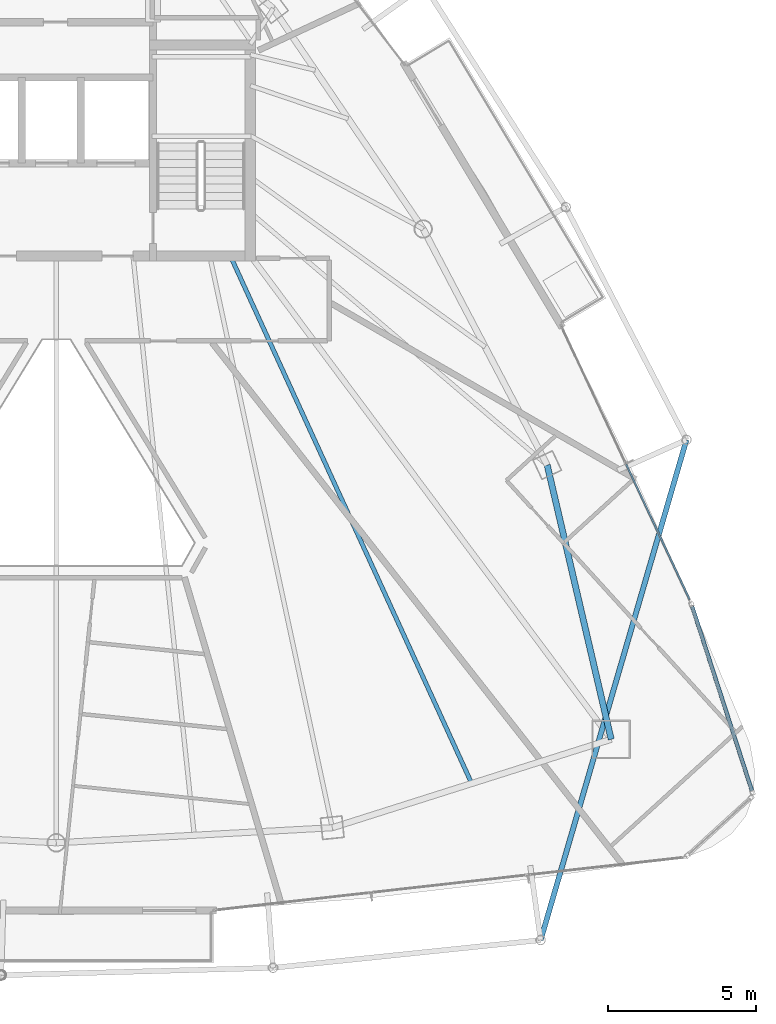
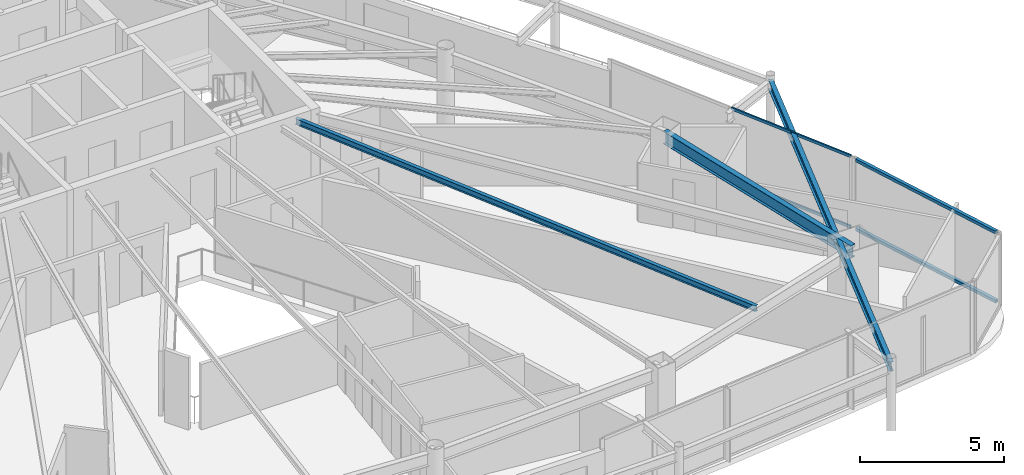
# One storey, part 17 of 33: 4 members, 3 beams, 2 elements without a shape of their own.
"""IFC4 building model written with IfcOpenShell, lengths in metres."""

import ifcopenshell
import ifcopenshell.guid

model = None  # the IFC model being written
_history = None  # IfcOwnerHistory: only IFC2X3 demands one
_inside = {}  # id of a spatial element -> (the spatial element, [elements in it])
_under = {}  # id of a project, library or spatial element -> (it, [spatial elements below it])
_declared = {}  # id of a project -> (the project, [libraries it declares])
_typed = {}  # id of a type object -> (the type object, [elements of that type])
_made_of = {}  # id of a material, layer set ... -> (it, [elements and type objects made of it])


def new_model(schema):
    """Start an empty IFC model of exactly this schema.

    Asked for "IFC4X3", IfcOpenShell would pick the latest addendum, in which some entities
    have other attributes; the version numbers below select the first issue.
    IFC2X3 requires an IfcOwnerHistory on every rooted entity: one is made here for all.
    """
    global model, _history
    if schema == "IFC4X3":
        model = ifcopenshell.file(schema_version=(4, 3, 0, 0))
    else:
        model = ifcopenshell.file(schema=schema)
    _inside.clear()
    _under.clear()
    _declared.clear()
    _typed.clear()
    _made_of.clear()
    _history = None
    if model.schema == "IFC2X3":
        org = make("IfcOrganization", Name="unknown")
        user = make(
            "IfcPersonAndOrganization",
            ThePerson=make("IfcPerson", FamilyName="unknown"),
            TheOrganization=org,
        )
        app = make(
            "IfcApplication",
            ApplicationDeveloper=org,
            Version="unknown",
            ApplicationFullName="unknown",
            ApplicationIdentifier="unknown",
        )
        _history = make(
            "IfcOwnerHistory",
            OwningUser=user,
            OwningApplication=app,
            ChangeAction="ADDED",
            CreationDate=0,
        )
    return model


def make(cls, **values):
    """One entity of the class cls with the attributes given. An attribute that is None is left unset."""
    return model.create_entity(
        cls, **{name: value for name, value in values.items() if value is not None}
    )


def rooted(cls, **values):
    """An entity with a GlobalId (a new one), such as an element, a storey or a relation."""
    return make(cls, GlobalId=ifcopenshell.guid.new(), OwnerHistory=_history, **values)


def si_unit(unit_type, name, prefix=None):
    """IfcSIUnit, for example si_unit("LENGTHUNIT", "METRE", prefix="MILLI")."""
    return make("IfcSIUnit", UnitType=unit_type, Prefix=prefix, Name=name)


def assignment(units):
    """IfcUnitAssignment: the units of a project."""
    return None if units is None else make("IfcUnitAssignment", Units=units)


def point(xyz):
    """IfcCartesianPoint."""
    return None if xyz is None else make("IfcCartesianPoint", Coordinates=xyz)


def direction(xyz):
    """IfcDirection."""
    return None if xyz is None else make("IfcDirection", DirectionRatios=xyz)


def frame(location, z_axis=None, x_axis=None):
    """IfcAxis2Placement3D, a coordinate frame: its origin and axes. An axis left out is left unset."""
    return make(
        "IfcAxis2Placement3D",
        Location=point(location),
        Axis=direction(z_axis),
        RefDirection=direction(x_axis),
    )


def frame_2d(location, x_axis=None):
    """IfcAxis2Placement2D, a coordinate frame in the plane: its origin and x axis."""
    return make(
        "IfcAxis2Placement2D", Location=point(location), RefDirection=direction(x_axis)
    )


def origin():
    """The frame at (0, 0, 0) with its axes left unset."""
    return frame((0.0, 0.0, 0.0))


def origin_2d():
    """The frame at (0, 0) in the plane with its x axis left unset."""
    return frame_2d((0.0, 0.0))


def place(relative_to, where):
    """IfcLocalPlacement: puts the frame where relative to a parent placement (None: the world)."""
    return make(
        "IfcLocalPlacement", PlacementRelTo=relative_to, RelativePlacement=where
    )


def context(
    kind, dimensions, precision=None, world=None, true_north=None, identifier=None
):
    """IfcGeometricRepresentationContext, for example the 3D "Model" context."""
    return make(
        "IfcGeometricRepresentationContext",
        ContextIdentifier=identifier,
        ContextType=kind,
        CoordinateSpaceDimension=dimensions,
        Precision=precision,
        WorldCoordinateSystem=world,
        TrueNorth=true_north,
    )


def subcontext(parent, identifier, kind, view, scale=None):
    """IfcGeometricRepresentationSubContext, for example "Body" below "Model"."""
    return make(
        "IfcGeometricRepresentationSubContext",
        ContextIdentifier=identifier,
        ContextType=kind,
        ParentContext=parent,
        TargetScale=scale,
        TargetView=view,
    )


def project(units=None, contexts=None):
    """IfcProject with its units and contexts."""
    return rooted(
        "IfcProject",
        Name="project",
        RepresentationContexts=contexts,
        UnitsInContext=assignment(units),
    )


def spatial(cls, under=None, at=None, **own):
    """A site, building, storey or space (cls), placed at a placement, below another one or the project."""
    s = rooted(cls, ObjectPlacement=at, **own)
    if under is not None:
        _under.setdefault(under.id(), (under, []))[1].append(s)
    return s


def profile(cls, at=None, kind="AREA", **sizes):
    """A parametric profile (cls). Its sizes go by their IFC names, for example OverallWidth=200.0."""
    return make(cls, ProfileType=kind, Position=at, **sizes)


def hollow_rectangle(**sizes):
    """IfcRectangleHollowProfileDef."""
    return profile("IfcRectangleHollowProfileDef", **sizes)


def i_section(**sizes):
    """IfcIShapeProfileDef."""
    return profile("IfcIShapeProfileDef", **sizes)


def extrude(swept, where, along, depth):
    """IfcExtrudedAreaSolid: the profile swept, set in the frame where, extruded along a direction by depth."""
    return make(
        "IfcExtrudedAreaSolid",
        SweptArea=swept,
        Position=where,
        ExtrudedDirection=direction(along),
        Depth=depth,
    )


def shape(context_of_items, identifier, shape_type, items):
    """IfcShapeRepresentation: the items that make up one representation, for example the "Body"."""
    return make(
        "IfcShapeRepresentation",
        ContextOfItems=context_of_items,
        RepresentationIdentifier=identifier,
        RepresentationType=shape_type,
        Items=items,
    )


def material(Name=None, Category=None):
    """IfcMaterial."""
    return make("IfcMaterial", Name=Name, Category=Category)


def layer(
    of_material, thickness, ventilated=None, Name=None, Category=None, Priority=None
):
    """IfcMaterialLayer: one layer of a wall or slab, of a material (None: an air gap)."""
    return make(
        "IfcMaterialLayer",
        Material=of_material,
        LayerThickness=thickness,
        IsVentilated=ventilated,
        Name=Name,
        Category=Category,
        Priority=Priority,
    )


def layer_set(layers, Name=None):
    """IfcMaterialLayerSet."""
    return make("IfcMaterialLayerSet", MaterialLayers=layers, LayerSetName=Name)


def material_profile(
    of_material, cross_section, Name=None, Category=None, Priority=None
):
    """IfcMaterialProfile: a cross section and its material."""
    return make(
        "IfcMaterialProfile",
        Name=Name,
        Material=of_material,
        Profile=cross_section,
        Priority=Priority,
        Category=Category,
    )


def profile_set(profiles, Name=None, composite=None):
    """IfcMaterialProfileSet."""
    return make(
        "IfcMaterialProfileSet",
        Name=Name,
        MaterialProfiles=profiles,
        CompositeProfile=composite,
    )


def made_of(thing, what):
    """Note that an element or type object is made of a material, layer set ...; save() writes the relation."""
    if what is not None:
        _made_of.setdefault(what.id(), (what, []))[1].append(thing)
    return thing


def type_object(cls, material=None, **own):
    """A type object (cls), such as IfcWallType, which elements share."""
    return made_of(rooted(cls, **own), material)


def element(
    cls,
    number,
    at=None,
    inside=None,
    cuts=None,
    type_object=None,
    material=None,
    context=None,
    identifier="Body",
    shape_type=None,
    held_by="IfcProductDefinitionShape",
    body=None,
    shapes=None,
    **own,
):
    """One element of the class cls, such as IfcWall. Its Tag is "e" and its number.

    at: its placement. inside: the storey or other place that contains it. cuts: it is an
    opening in that element (IfcRelVoidsElement). A single representation is given by context,
    identifier, shape_type and body (its items); several are given by shapes. held_by: the class
    of the entity that holds the representations. save() writes the other relations.
    """
    e = rooted(cls, Tag="e%d" % number, ObjectPlacement=at, **own)
    if body is not None:
        shapes = [shape(context, identifier, shape_type, body)]
    if shapes is not None:
        e.Representation = make(held_by, Representations=shapes)
    if inside is not None:
        _inside.setdefault(inside.id(), (inside, []))[1].append(e)
    if cuts is not None:
        rooted(
            "IfcRelVoidsElement", RelatingBuildingElement=cuts, RelatedOpeningElement=e
        )
    if type_object is not None:
        _typed.setdefault(type_object.id(), (type_object, []))[1].append(e)
    return made_of(e, material)


def aggregate(whole, parts):
    """IfcRelAggregates: a whole, such as a stair, and the parts it consists of."""
    return rooted("IfcRelAggregates", RelatingObject=whole, RelatedObjects=parts)


def save(model, path):
    """Write the relations noted so far, then the file.

    IfcRelAggregates (storeys below a building ...), IfcRelContainedInSpatialStructure (elements
    in a storey), IfcRelDefinesByType, IfcRelAssociatesMaterial and IfcRelDeclares: one each for
    every whole, place, type object, material and project.
    """
    for whole, parts in _under.values():
        aggregate(whole, parts)
    for where, things in _inside.values():
        rooted(
            "IfcRelContainedInSpatialStructure",
            RelatedElements=things,
            RelatingStructure=where,
        )
    for kind, things in _typed.values():
        rooted("IfcRelDefinesByType", RelatedObjects=things, RelatingType=kind)
    for what, things in _made_of.values():
        rooted("IfcRelAssociatesMaterial", RelatedObjects=things, RelatingMaterial=what)
    for by, libraries in _declared.values():
        rooted("IfcRelDeclares", RelatingContext=by, RelatedDefinitions=libraries)
    model.write(path)


model = new_model("IFC4")

# Units and contexts
model_context = context("Model", 3, precision=1e-05, world=origin(), true_north=direction((0.0, 1.0)))
body_context = subcontext(model_context, "Body", "Model", "MODEL_VIEW")
ifc_project = project(units=[si_unit("LENGTHUNIT", "METRE"), si_unit("AREAUNIT", "SQUARE_METRE"), si_unit("VOLUMEUNIT", "CUBIC_METRE"), si_unit("PLANEANGLEUNIT", "RADIAN"), si_unit("MASSUNIT", "GRAM", prefix="KILO")], contexts=[model_context])

# Site, building, storey
site_placement = place(None, origin())
site = spatial("IfcSite", under=ifc_project, at=site_placement, CompositionType="ELEMENT")
building_placement = place(site_placement, origin())
building = spatial("IfcBuilding", under=site, at=building_placement, Name="Orvanel Arch Residences", CompositionType="ELEMENT")
storey_placement = place(building_placement, frame((0.0, 0.0, 196.39990234375)))
storey = spatial("IfcBuildingStorey", under=building, at=storey_placement, Name="L55", CompositionType="ELEMENT", Elevation=196.39990234375)

# Beams
ifc_material_1 = material(Name="Structural steel AS/NZS 3679.1 Grade 300 (300 MPa)", Category="steel")
ifc_material_profile_1 = material_profile(ifc_material_1, i_section(OverallWidth=0.14599609375, OverallDepth=0.251953125, WebThickness=0.006103515625, FlangeThickness=0.008544921875, at=origin_2d()), Name="250UB31.4")
ifc_profile_set_1 = profile_set([ifc_material_profile_1], Name="Structural steel AS/NZS 3679.1 Grade 300 (300 MPa)")
beam_type_1 = type_object("IfcBeamType", Name="BJ-250UB", PredefinedType="JOIST", material=ifc_profile_set_1)
beam_1_placement = place(storey_placement, frame((38.89990234375, 26.72509765625, 2.93408203125), z_axis=(0.416009574066, -0.909360233508, 0.0), x_axis=(0.909360233508, 0.416009574066, 0.0)))
element("IfcBeam", 1, at=beam_1_placement, inside=storey, type_object=beam_type_1, Name="L55 JADD2 Wing Floor Joist", PredefinedType="JOIST", context=body_context, shape_type="SweptSolid", body=[
    extrude(i_section(OverallWidth=0.14599609375, OverallDepth=0.251953125, WebThickness=0.006103515625, FlangeThickness=0.008544921875, at=origin_2d()), origin(), (0.0, 0.0, 1.0), 19.653564453125),
])
ifc_material_profile_2 = material_profile(ifc_material_1, i_section(OverallWidth=0.177978515625, OverallDepth=0.406005859375, WebThickness=0.0078125, FlangeThickness=0.0126953125, at=origin_2d()), Name="410UB59.7")
ifc_profile_set_2 = profile_set([ifc_material_profile_2], Name="Structural steel AS/NZS 3679.1 Grade 300 (300 MPa)")
beam_type_2 = type_object("IfcBeamType", Name="OB-410UB-EXT", PredefinedType="SPANDREL", material=ifc_profile_set_2)
beam_2_placement = place(storey_placement, frame((49.410888671875, 3.547119140625, 2.857177734375), z_axis=(0.279865655106, 0.960039173728, 0.0), x_axis=(-0.960039173728, 0.279865655106, 0.0)))
element("IfcBeam", 2, at=beam_2_placement, inside=storey, type_object=beam_type_2, Name="L55 Outer Perimeter Floor Ring Beam 08", PredefinedType="SPANDREL", context=body_context, shape_type="SweptSolid", body=[
    extrude(i_section(OverallWidth=0.177978515625, OverallDepth=0.406005859375, WebThickness=0.0078125, FlangeThickness=0.0126953125, at=origin_2d()), origin(), (0.0, 0.0, 1.0), 17.655517578125),
])
ifc_material_profile_3 = material_profile(ifc_material_1, i_section(OverallWidth=0.208984375, OverallDepth=0.532958984375, WebThickness=0.01025390625, FlangeThickness=0.015625, at=origin_2d()), Name="530UB92.4")
ifc_profile_set_3 = profile_set([ifc_material_profile_3], Name="Structural steel AS/NZS 3679.1 Grade 300 (300 MPa)")
beam_type_3 = type_object("IfcBeamType", Name="SP-530UB", PredefinedType="SPANDREL", material=ifc_profile_set_3)
beam_3_placement = place(storey_placement, frame((51.801025390625, 10.35107421875, 2.794189453125), z_axis=(-0.227236087167, 0.973839699688, 0.0), x_axis=(-0.973839699688, -0.227236087167, 0.0)))
element("IfcBeam", 3, at=beam_3_placement, inside=storey, type_object=beam_type_3, Name="L55 Perimeter Spandrel Beam 06", PredefinedType="SPANDREL", context=body_context, shape_type="SweptSolid", body=[
    extrude(i_section(OverallWidth=0.208984375, OverallDepth=0.532958984375, WebThickness=0.01025390625, FlangeThickness=0.015625, at=origin_2d()), origin(), (0.0, 0.0, 1.0), 9.54052734375),
])

# Curtain wall, members
ifc_material_2 = material(Name="Bronze-anodised aluminium AA6063-T6", Category="aluminium")
ifc_layer_1 = layer(ifc_material_2, 0.175048828125)
ifc_layer_set_1 = layer_set([ifc_layer_1], Name="Bronze-anodised aluminium AA6063-T6")
curtain_wall_type_1 = type_object("IfcCurtainWallType", Name="CW4-HI-SYS", PredefinedType="NOTDEFINED", material=ifc_layer_set_1)
curtain_wall_1_placement = place(storey_placement, origin())
curtain_wall_1 = element("IfcCurtainWall", 4, at=curtain_wall_1_placement, inside=storey, type_object=curtain_wall_type_1, Name="L55 CW4-HI-SYS Unitised Curtain Wall", PredefinedType="NOTDEFINED")
ifc_material_profile_4 = material_profile(ifc_material_2, hollow_rectangle(XDim=0.06005859375, YDim=0.1201171875, WallThickness=0.00341796875, at=origin_2d()), Name="ALU120x60x3.5")
ifc_profile_set_4 = profile_set([ifc_material_profile_4], Name="Bronze-anodised aluminium AA6063-T6")
member_type_1 = type_object("IfcMemberType", Name="TRN-120x60", PredefinedType="USERDEFINED", material=ifc_profile_set_4)
member_1_placement = place(storey_placement, frame((54.456298828125, 15.0888671875, 0.030029296875), z_axis=(-0.424480869701, 0.905436906282, 0.0), x_axis=(-0.905436906282, -0.424480869701, 0.0)))
member_1 = element("IfcMember", 5, at=member_1_placement, type_object=member_type_1, Name="CW-S4 transom 1.1", ObjectType="TRANSOM", PredefinedType="USERDEFINED", context=body_context, shape_type="SweptSolid", body=[
    extrude(hollow_rectangle(XDim=0.06005859375, YDim=0.1201171875, WallThickness=0.00341796875, at=origin_2d()), origin(), (0.0, 0.0, 1.0), 5.057861328125),
])
member_2_placement = place(storey_placement, frame((54.456298828125, 15.0888671875, 3.030029296875), z_axis=(-0.424480869701, 0.905436906282, 0.0), x_axis=(-0.905436906282, -0.424480869701, 0.0)))
member_2 = element("IfcMember", 6, at=member_2_placement, type_object=member_type_1, Name="CW-S4 transom 1.2", ObjectType="TRANSOM", PredefinedType="USERDEFINED", context=body_context, shape_type="SweptSolid", body=[
    extrude(hollow_rectangle(XDim=0.06005859375, YDim=0.1201171875, WallThickness=0.00341796875, at=origin_2d()), origin(), (0.0, 0.0, 1.0), 5.057861328125),
])
aggregate(curtain_wall_1, [member_1, member_2])

ifc_layer_2 = layer(ifc_material_2, 0.18994140625)
ifc_layer_set_2 = layer_set([ifc_layer_2], Name="Bronze-anodised aluminium AA6063-T6")
curtain_wall_type_2 = type_object("IfcCurtainWallType", Name="CW5-CRN-SYS", PredefinedType="NOTDEFINED", material=ifc_layer_set_2)
curtain_wall_2_placement = place(storey_placement, origin())
curtain_wall_2 = element("IfcCurtainWall", 7, at=curtain_wall_2_placement, inside=storey, type_object=curtain_wall_type_2, Name="L55 CW5-CRN-SYS Unitised Curtain Wall", PredefinedType="NOTDEFINED")
ifc_material_profile_5 = material_profile(ifc_material_2, hollow_rectangle(XDim=0.1298828125, YDim=0.1298828125, WallThickness=0.00439453125, at=origin_2d()), Name="ALU130x130x4.5")
ifc_profile_set_5 = profile_set([ifc_material_profile_5], Name="Bronze-anodised aluminium AA6063-T6")
member_type_2 = type_object("IfcMemberType", Name="TRN-130x130", PredefinedType="USERDEFINED", material=ifc_profile_set_5)
member_3_placement = place(storey_placement, frame((56.568603515625, 8.608642578125, 0.065185546875), z_axis=(-0.30851561649, 0.95121927776, 0.0), x_axis=(-0.95121927776, -0.30851561649, 0.0)))
member_3 = element("IfcMember", 8, at=member_3_placement, type_object=member_type_2, Name="CW-S5 transom 1.1", ObjectType="TRANSOM", PredefinedType="USERDEFINED", context=body_context, shape_type="SweptSolid", body=[
    extrude(hollow_rectangle(XDim=0.1298828125, YDim=0.1298828125, WallThickness=0.00439453125, at=origin_2d()), origin(), (0.0, 0.0, 1.0), 6.561767578125),
])
member_4_placement = place(storey_placement, frame((56.568603515625, 8.608642578125, 2.9951171875), z_axis=(-0.30851561649, 0.95121927776, 0.0), x_axis=(-0.95121927776, -0.30851561649, 0.0)))
member_4 = element("IfcMember", 9, at=member_4_placement, type_object=member_type_2, Name="CW-S5 transom 1.2", ObjectType="TRANSOM", PredefinedType="USERDEFINED", context=body_context, shape_type="SweptSolid", body=[
    extrude(hollow_rectangle(XDim=0.1298828125, YDim=0.1298828125, WallThickness=0.00439453125, at=origin_2d()), origin(), (0.0, 0.0, 1.0), 6.561767578125),
])
aggregate(curtain_wall_2, [member_3, member_4])

save(model, "model.ifc")
